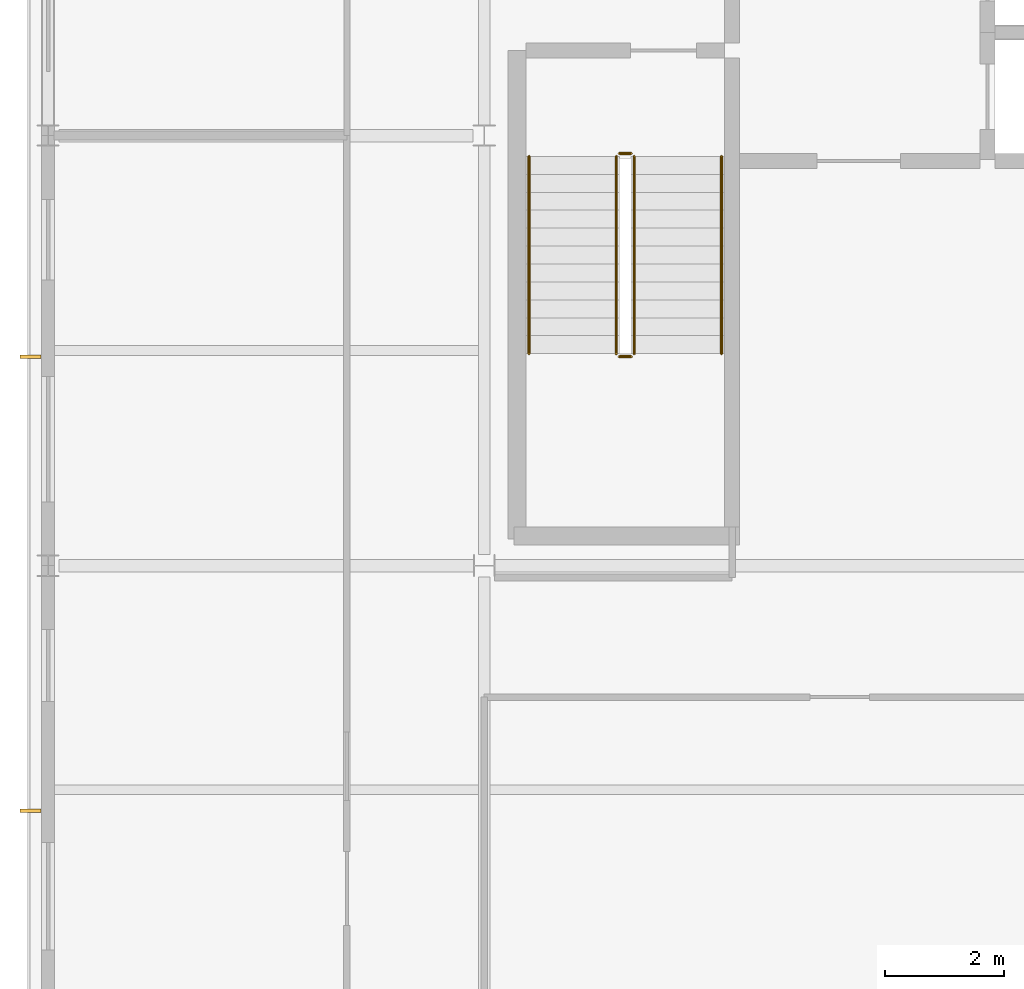
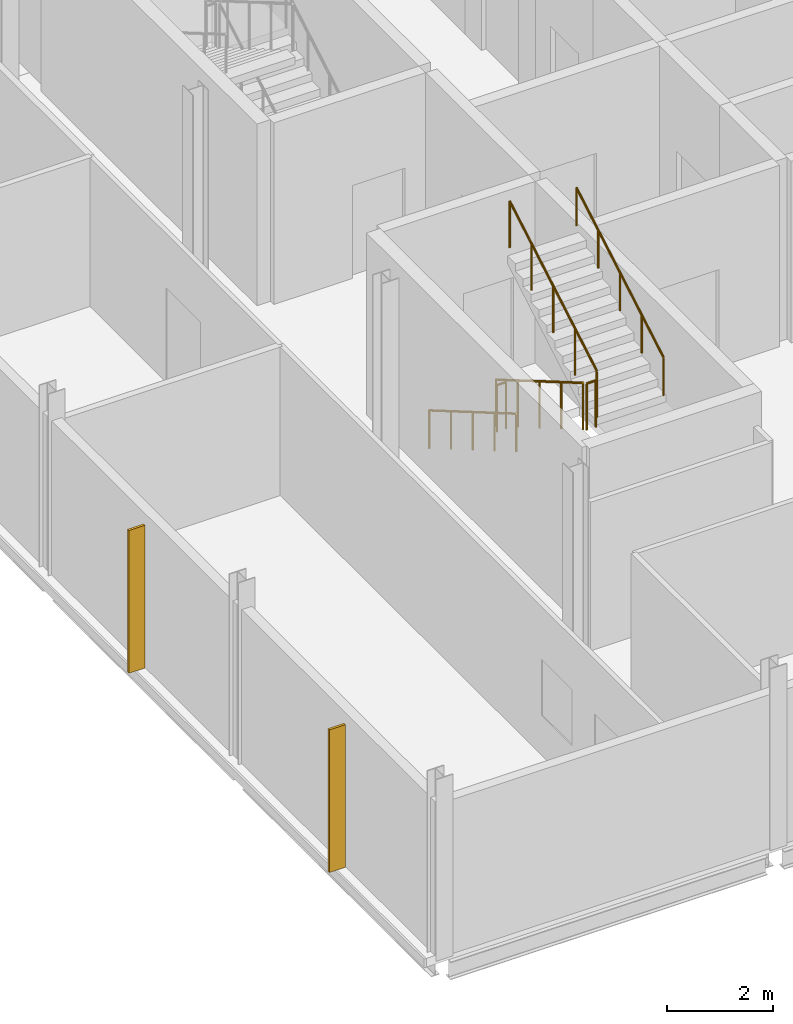
# One storey, part 15 of 17: 6 railings, 2 shading devices.
"""IFC4 building model written with IfcOpenShell, lengths in metres."""

from ifc_helpers import new_model, si_unit, direction, frame, origin, origin_2d, place, context, subcontext, project, spatial, rectangle, circle, extrude, material, type_object, element, save


model = new_model("IFC4")

# Units and contexts
model_context = context("Model", 3, precision=1e-05, world=origin(), true_north=direction((0.0, 1.0)))
body_context = subcontext(model_context, "Body", "Model", "MODEL_VIEW")
ifc_project = project(units=[si_unit("LENGTHUNIT", "METRE"), si_unit("AREAUNIT", "SQUARE_METRE"), si_unit("VOLUMEUNIT", "CUBIC_METRE"), si_unit("PLANEANGLEUNIT", "RADIAN"), si_unit("MASSUNIT", "GRAM", prefix="KILO")], contexts=[model_context])

# Site, building, storey
site_placement = place(None, origin())
site = spatial("IfcSite", under=ifc_project, at=site_placement, CompositionType="ELEMENT")
building_placement = place(site_placement, origin())
building = spatial("IfcBuilding", under=site, at=building_placement, Name="Quillay Park Conservatory", CompositionType="ELEMENT")
storey_placement = place(building_placement, frame((0.0, 0.0, 56.10009765625)))
storey = spatial("IfcBuildingStorey", under=building, at=storey_placement, Name="L13", CompositionType="ELEMENT", Elevation=56.10009765625)

# Railings
ifc_material_1 = material(Name="Steel S355J2H", Category="steel")
railing_type_1 = type_object("IfcRailingType", Name="STAIR WALL HANDRAIL 900", PredefinedType="HANDRAIL", material=ifc_material_1)
railing_1_placement = place(storey_placement, frame((8.60009765625, 84.85009765625, 0.1748046875)))
element("IfcRailing", 1, at=railing_1_placement, inside=storey, type_object=railing_type_1, Name="L13 ST-T2 stair handrail 1", PredefinedType="HANDRAIL", context=body_context, shape_type="SweptSolid", body=[
    extrude(circle(Radius=0.02392578125, at=origin_2d()), frame((0.0, 0.0, 0.8759765625), z_axis=(0.0, -0.863776583165, 0.503874998761), x_axis=(1.0, 0.0, 0.0)), (0.0, 0.0, 1.0), 3.820556640625),
    extrude(circle(Radius=0.02099609375, at=origin_2d()), origin(), (0.0, 0.0, 1.0), 0.851806640625),
    extrude(circle(Radius=0.02099609375, at=origin_2d()), frame((0.0, -0.824951171875, 0.481201171875)), (0.0, 0.0, 1.0), 0.851806640625),
    extrude(circle(Radius=0.02099609375, at=origin_2d()), frame((0.0, -1.64990234375, 0.96240234375)), (0.0, 0.0, 1.0), 0.851806640625),
    extrude(circle(Radius=0.02099609375, at=origin_2d()), frame((0.0, -2.47509765625, 1.44384765625)), (0.0, 0.0, 1.0), 0.851806640625),
    extrude(circle(Radius=0.02099609375, at=origin_2d()), frame((0.0, -3.300048828125, 1.925048828125)), (0.0, 0.0, 1.0), 0.851806640625),
])
railing_2_placement = place(storey_placement, frame((11.820068359375, 81.550048828125, 2.27490234375)))
element("IfcRailing", 2, at=railing_2_placement, inside=storey, type_object=railing_type_1, Name="L13 ST-T2 stair handrail 2", PredefinedType="HANDRAIL", context=body_context, shape_type="SweptSolid", body=[
    extrude(circle(Radius=0.02392578125, at=origin_2d()), frame((0.0, 0.0, 0.8759765625), z_axis=(0.0, 0.863776583165, 0.503874998761), x_axis=(-1.0, 0.0, 0.0)), (0.0, 0.0, 1.0), 3.820556640625),
    extrude(circle(Radius=0.02099609375, at=origin_2d()), origin(), (0.0, 0.0, 1.0), 0.851806640625),
    extrude(circle(Radius=0.02099609375, at=origin_2d()), frame((0.0, 0.824951171875, 0.481201171875)), (0.0, 0.0, 1.0), 0.851806640625),
    extrude(circle(Radius=0.02099609375, at=origin_2d()), frame((0.0, 1.64990234375, 0.96240234375)), (0.0, 0.0, 1.0), 0.851806640625),
    extrude(circle(Radius=0.02099609375, at=origin_2d()), frame((0.0, 2.47509765625, 1.44384765625)), (0.0, 0.0, 1.0), 0.851806640625),
    extrude(circle(Radius=0.02099609375, at=origin_2d()), frame((0.0, 3.300048828125, 1.925048828125)), (0.0, 0.0, 1.0), 0.851806640625),
])
ifc_material_2 = material(Name="Steel S355J2H", Category="steel")
railing_type_2 = type_object("IfcRailingType", Name="STAIR WELL GUARDRAIL 1100", PredefinedType="GUARDRAIL", material=ifc_material_2)
railing_3_placement = place(storey_placement, frame((10.06005859375, 84.85009765625, 0.1748046875)))
element("IfcRailing", 3, at=railing_3_placement, inside=storey, type_object=railing_type_2, Name="L13 ST-T2 stair guard 1", PredefinedType="GUARDRAIL", context=body_context, shape_type="SweptSolid", body=[
    extrude(circle(Radius=0.02392578125, at=origin_2d()), frame((0.0, 0.0, 1.076171875), z_axis=(0.0, -0.863776583165, 0.503874998761), x_axis=(1.0, 0.0, 0.0)), (0.0, 0.0, 1.0), 3.820556640625),
    extrude(circle(Radius=0.02099609375, at=origin_2d()), origin(), (0.0, 0.0, 1.0), 1.052001953125),
    extrude(circle(Radius=0.02099609375, at=origin_2d()), frame((0.0, -0.824951171875, 0.481201171875)), (0.0, 0.0, 1.0), 1.052001953125),
    extrude(circle(Radius=0.02099609375, at=origin_2d()), frame((0.0, -1.64990234375, 0.96240234375)), (0.0, 0.0, 1.0), 1.052001953125),
    extrude(circle(Radius=0.02099609375, at=origin_2d()), frame((0.0, -2.47509765625, 1.44384765625)), (0.0, 0.0, 1.0), 1.052001953125),
    extrude(circle(Radius=0.02099609375, at=origin_2d()), frame((0.0, -3.300048828125, 1.925048828125)), (0.0, 0.0, 1.0), 1.052001953125),
])
railing_4_placement = place(storey_placement, frame((10.110107421875, 81.5, 2.099853515625)))
element("IfcRailing", 4, at=railing_4_placement, inside=storey, type_object=railing_type_2, Name="L13 ST-T2 stair guard 2", PredefinedType="GUARDRAIL", context=body_context, shape_type="SweptSolid", body=[
    extrude(circle(Radius=0.02392578125, at=origin_2d()), frame((0.0, 0.0, 1.076171875), z_axis=(1.0, 0.0, 0.0), x_axis=(0.0, 1.0, 0.0)), (0.0, 0.0, 1.0), 0.199951171875),
    extrude(circle(Radius=0.02099609375, at=origin_2d()), origin(), (0.0, 0.0, 1.0), 1.052001953125),
    extrude(circle(Radius=0.02099609375, at=origin_2d()), frame((0.199951171875, 0.0, 0.0)), (0.0, 0.0, 1.0), 1.052001953125),
])
railing_5_placement = place(storey_placement, frame((10.360107421875, 81.550048828125, 2.27490234375)))
element("IfcRailing", 5, at=railing_5_placement, inside=storey, type_object=railing_type_2, Name="L13 ST-T2 stair guard 3", PredefinedType="GUARDRAIL", context=body_context, shape_type="SweptSolid", body=[
    extrude(circle(Radius=0.02392578125, at=origin_2d()), frame((0.0, 0.0, 1.076171875), z_axis=(0.0, 0.863776583165, 0.503874998761), x_axis=(-1.0, 0.0, 0.0)), (0.0, 0.0, 1.0), 3.820556640625),
    extrude(circle(Radius=0.02099609375, at=origin_2d()), origin(), (0.0, 0.0, 1.0), 1.052001953125),
    extrude(circle(Radius=0.02099609375, at=origin_2d()), frame((0.0, 0.824951171875, 0.481201171875)), (0.0, 0.0, 1.0), 1.052001953125),
    extrude(circle(Radius=0.02099609375, at=origin_2d()), frame((0.0, 1.64990234375, 0.96240234375)), (0.0, 0.0, 1.0), 1.052001953125),
    extrude(circle(Radius=0.02099609375, at=origin_2d()), frame((0.0, 2.47509765625, 1.44384765625)), (0.0, 0.0, 1.0), 1.052001953125),
    extrude(circle(Radius=0.02099609375, at=origin_2d()), frame((0.0, 3.300048828125, 1.925048828125)), (0.0, 0.0, 1.0), 1.052001953125),
])
railing_6_placement = place(storey_placement, frame((10.110107421875, 84.89990234375, 0.0)))
element("IfcRailing", 6, at=railing_6_placement, inside=storey, type_object=railing_type_2, Name="L13 ST-T2 stair guard 4", PredefinedType="GUARDRAIL", context=body_context, shape_type="SweptSolid", body=[
    extrude(circle(Radius=0.02392578125, at=origin_2d()), frame((0.0, 0.0, 1.076171875), z_axis=(1.0, 0.0, 0.0), x_axis=(0.0, 1.0, 0.0)), (0.0, 0.0, 1.0), 0.199951171875),
    extrude(circle(Radius=0.02099609375, at=origin_2d()), origin(), (0.0, 0.0, 1.0), 1.052001953125),
    extrude(circle(Radius=0.02099609375, at=origin_2d()), frame((0.199951171875, 0.0, 0.0)), (0.0, 0.0, 1.0), 1.052001953125),
])

# Shading devices
ifc_material_3 = material(Name="Perforated Copper-Bronze Anodised Aluminium", Category="aluminium")
shading_device_type = type_object("IfcShadingDeviceType", Name="COPPER BRONZE SOLAR FIN", PredefinedType="USERDEFINED", material=ifc_material_3)
for number, where, z_axis, x_axis, name in (
    (7, (0.2548828125, 73.89990234375, 0.0), (0.0, 0.0, 1.0), (1.0, 0.0, 0.0), "L13 Perforated Copper-Bronze Solar Fin 046"),
    (8, (0.2548828125, 81.5, 0.0), (0.0, 0.0, 1.0), (1.0, 0.0, 0.0), "L13 Perforated Copper-Bronze Solar Fin 047"),
):
    element("IfcShadingDevice", number, at=place(storey_placement, frame(where, z_axis=z_axis, x_axis=x_axis)), inside=storey, type_object=shading_device_type, Name=name, ObjectType="SOLAR FIN", PredefinedType="USERDEFINED", context=body_context, shape_type="SweptSolid", body=[
        extrude(rectangle(XDim=0.35009765625, YDim=0.054931640625, at=origin_2d()), origin(), (0.0, 0.0, 1.0), 3.300048828125),
    ])

save(model, "model.ifc")
